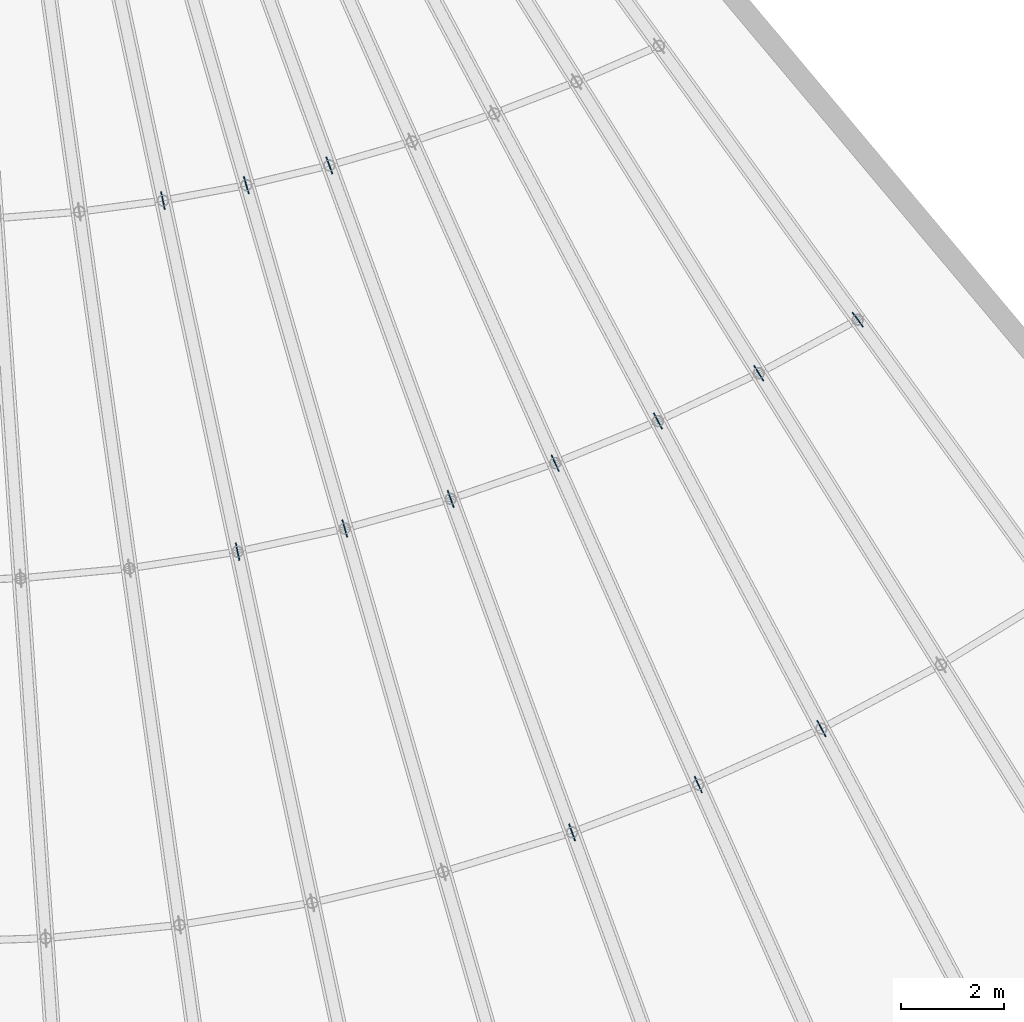
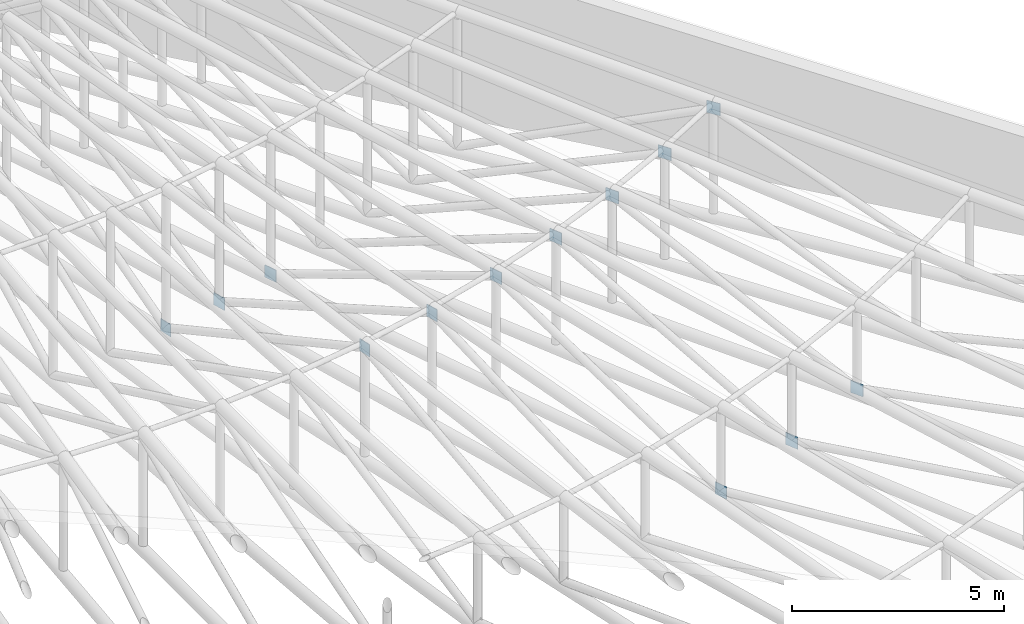
# One storey, part 133 of 163: 13 discrete accessories.
"""IFC4 building model written with IfcOpenShell, lengths in metres."""

from ifc_helpers import new_model, si_unit, direction, frame, origin, origin_2d, place, context, subcontext, project, spatial, rectangle, extrude, material, layer, layer_set, type_object, element, save


model = new_model("IFC4")

# Units and contexts
model_context = context("Model", 3, precision=1e-05, world=origin(), true_north=direction((0.0, 1.0)))
body_context = subcontext(model_context, "Body", "Model", "MODEL_VIEW")
ifc_project = project(units=[si_unit("LENGTHUNIT", "METRE"), si_unit("AREAUNIT", "SQUARE_METRE"), si_unit("VOLUMEUNIT", "CUBIC_METRE"), si_unit("PLANEANGLEUNIT", "RADIAN"), si_unit("MASSUNIT", "GRAM", prefix="KILO")], contexts=[model_context])

# Site, building, storey
site_placement = place(None, origin())
site = spatial("IfcSite", under=ifc_project, at=site_placement, CompositionType="ELEMENT")
building_placement = place(site_placement, origin())
building = spatial("IfcBuilding", under=site, at=building_placement, Name="Rain Tree Exposition and Congress Centre", CompositionType="ELEMENT")
storey_placement = place(building_placement, frame((0.0, 0.0, 10.5)))
storey = spatial("IfcBuildingStorey", under=building, at=storey_placement, Name="L02", CompositionType="ELEMENT", Elevation=10.5)

# Discrete accessories
ifc_material = material(Name="Steel plate S355J2", Category="steel")
ifc_layer = layer(ifc_material, 0.02001953125)
ifc_layer_set = layer_set([ifc_layer], Name="Steel plate S355J2")
discrete_accessory_type = type_object("IfcDiscreteAccessoryType", Name="Brace node plate 350x350x20", PredefinedType="BRACKET", material=ifc_layer_set)
for number, where, z_axis, x_axis, name in (
    (1, (207.962158203125, 37.268798828125, 3.21044921875), (0.0, 0.0, 1.0), (-0.207911690818, 0.978147600734, 0.0), "Brace node plate 350"),
    (2, (206.506591796875, 44.11572265625, 0.1435546875), (0.0, 0.0, 1.0), (0.207911690818, -0.978147600734, 0.0), "Brace node plate 350"),
    (3, (210.052978515625, 37.720703125, 3.202880859375), (0.0, 0.0, 1.0), (-0.275637355817, 0.961261695938, 0.0), "Brace node plate 350"),
    (4, (208.1328125, 44.4169921875, 0.1435546875), (0.0, 0.0, 1.0), (0.275637355817, -0.961261695938, 0.0), "Brace node plate 350"),
    (5, (214.48681640625, 31.793701171875, 0.1435546875), (0.0, 0.0, 1.0), (0.342020143326, -0.939692620786, 0.0), "Brace node plate 350"),
    (6, (212.119384765625, 38.2978515625, 3.19287109375), (0.0, 0.0, 1.0), (-0.342020143326, 0.939692620786, 0.0), "Brace node plate 350"),
    (7, (209.752197265625, 44.802001953125, 0.1435546875), (0.0, 0.0, 1.0), (0.342020143326, -0.939692620786, 0.0), "Brace node plate 350"),
    (8, (216.948486328125, 32.726806640625, 0.1435546875), (0.0, 0.0, 1.0), (0.406736643076, -0.913545457643, 0.0), "Brace node plate 350"),
    (9, (214.156494140625, 38.99755859375, 3.179931640625), (0.0, 0.0, 1.0), (-0.406736643076, 0.913545457643, 0.0), "Brace node plate 350"),
    (10, (219.349365234375, 33.818359375, 0.1435546875), (0.0, 0.0, 1.0), (0.469471562786, -0.882947592859, 0.0), "Brace node plate 350"),
    (11, (216.16015625, 39.81640625, 3.163818359375), (0.0, 0.0, 1.0), (-0.469471562786, 0.882947592859, 0.0), "Brace node plate 350"),
    (12, (218.127685546875, 40.750244140625, 3.14404296875), (0.0, 0.0, 1.0), (-0.529919264233, 0.848048096156, 0.0), "Brace node plate 350"),
    (13, (220.05810546875, 41.794677734375, 3.1201171875), (0.0, 0.0, 1.0), (-0.587785252292, 0.809016994375, 0.0), "Brace node plate 350"),
):
    element("IfcDiscreteAccessory", number, at=place(storey_placement, frame(where, z_axis=z_axis, x_axis=x_axis)), inside=storey, type_object=discrete_accessory_type, Name=name, PredefinedType="BRACKET", context=body_context, shape_type="SweptSolid", body=[
        extrude(rectangle(XDim=0.35009765625, YDim=0.02001953125, at=origin_2d()), origin(), (0.0, 0.0, 1.0), 0.35009765625),
    ])

save(model, "model.ifc")
